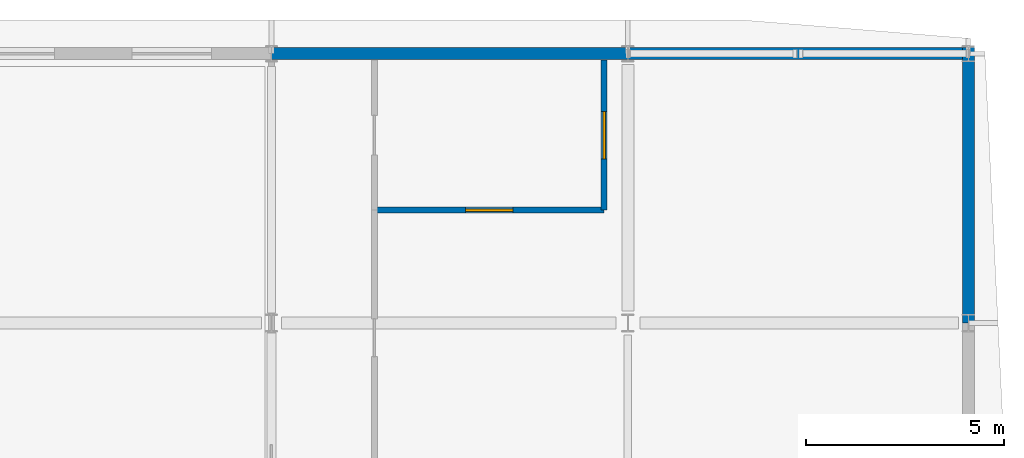
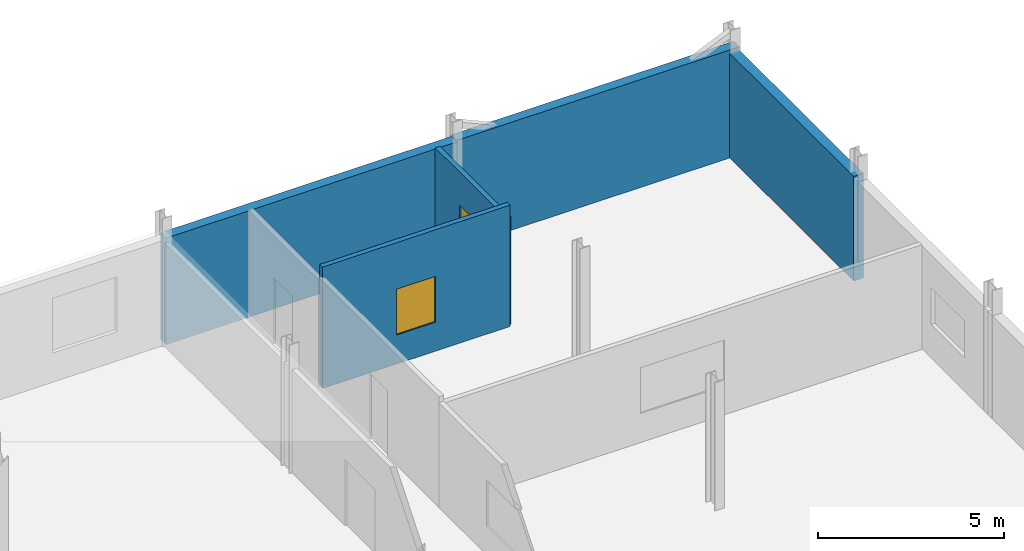
# One storey, part 123 of 138: 5 walls, 2 windows, 2 openings.
"""IFC4 building model written with IfcOpenShell, lengths in metres."""

import ifcopenshell
import ifcopenshell.guid

model = None  # the IFC model being written
_history = None  # IfcOwnerHistory: only IFC2X3 demands one
_inside = {}  # id of a spatial element -> (the spatial element, [elements in it])
_under = {}  # id of a project, library or spatial element -> (it, [spatial elements below it])
_declared = {}  # id of a project -> (the project, [libraries it declares])
_typed = {}  # id of a type object -> (the type object, [elements of that type])
_made_of = {}  # id of a material, layer set ... -> (it, [elements and type objects made of it])


def new_model(schema):
    """Start an empty IFC model of exactly this schema.

    Asked for "IFC4X3", IfcOpenShell would pick the latest addendum, in which some entities
    have other attributes; the version numbers below select the first issue.
    IFC2X3 requires an IfcOwnerHistory on every rooted entity: one is made here for all.
    """
    global model, _history
    if schema == "IFC4X3":
        model = ifcopenshell.file(schema_version=(4, 3, 0, 0))
    else:
        model = ifcopenshell.file(schema=schema)
    _inside.clear()
    _under.clear()
    _declared.clear()
    _typed.clear()
    _made_of.clear()
    _history = None
    if model.schema == "IFC2X3":
        org = make("IfcOrganization", Name="unknown")
        user = make(
            "IfcPersonAndOrganization",
            ThePerson=make("IfcPerson", FamilyName="unknown"),
            TheOrganization=org,
        )
        app = make(
            "IfcApplication",
            ApplicationDeveloper=org,
            Version="unknown",
            ApplicationFullName="unknown",
            ApplicationIdentifier="unknown",
        )
        _history = make(
            "IfcOwnerHistory",
            OwningUser=user,
            OwningApplication=app,
            ChangeAction="ADDED",
            CreationDate=0,
        )
    return model


def make(cls, **values):
    """One entity of the class cls with the attributes given. An attribute that is None is left unset."""
    return model.create_entity(
        cls, **{name: value for name, value in values.items() if value is not None}
    )


def rooted(cls, **values):
    """An entity with a GlobalId (a new one), such as an element, a storey or a relation."""
    return make(cls, GlobalId=ifcopenshell.guid.new(), OwnerHistory=_history, **values)


def si_unit(unit_type, name, prefix=None):
    """IfcSIUnit, for example si_unit("LENGTHUNIT", "METRE", prefix="MILLI")."""
    return make("IfcSIUnit", UnitType=unit_type, Prefix=prefix, Name=name)


def assignment(units):
    """IfcUnitAssignment: the units of a project."""
    return None if units is None else make("IfcUnitAssignment", Units=units)


def point(xyz):
    """IfcCartesianPoint."""
    return None if xyz is None else make("IfcCartesianPoint", Coordinates=xyz)


def direction(xyz):
    """IfcDirection."""
    return None if xyz is None else make("IfcDirection", DirectionRatios=xyz)


def frame(location, z_axis=None, x_axis=None):
    """IfcAxis2Placement3D, a coordinate frame: its origin and axes. An axis left out is left unset."""
    return make(
        "IfcAxis2Placement3D",
        Location=point(location),
        Axis=direction(z_axis),
        RefDirection=direction(x_axis),
    )


def frame_2d(location, x_axis=None):
    """IfcAxis2Placement2D, a coordinate frame in the plane: its origin and x axis."""
    return make(
        "IfcAxis2Placement2D", Location=point(location), RefDirection=direction(x_axis)
    )


def origin():
    """The frame at (0, 0, 0) with its axes left unset."""
    return frame((0.0, 0.0, 0.0))


def place(relative_to, where):
    """IfcLocalPlacement: puts the frame where relative to a parent placement (None: the world)."""
    return make(
        "IfcLocalPlacement", PlacementRelTo=relative_to, RelativePlacement=where
    )


def context(
    kind, dimensions, precision=None, world=None, true_north=None, identifier=None
):
    """IfcGeometricRepresentationContext, for example the 3D "Model" context."""
    return make(
        "IfcGeometricRepresentationContext",
        ContextIdentifier=identifier,
        ContextType=kind,
        CoordinateSpaceDimension=dimensions,
        Precision=precision,
        WorldCoordinateSystem=world,
        TrueNorth=true_north,
    )


def subcontext(parent, identifier, kind, view, scale=None):
    """IfcGeometricRepresentationSubContext, for example "Body" below "Model"."""
    return make(
        "IfcGeometricRepresentationSubContext",
        ContextIdentifier=identifier,
        ContextType=kind,
        ParentContext=parent,
        TargetScale=scale,
        TargetView=view,
    )


def project(units=None, contexts=None):
    """IfcProject with its units and contexts."""
    return rooted(
        "IfcProject",
        Name="project",
        RepresentationContexts=contexts,
        UnitsInContext=assignment(units),
    )


def spatial(cls, under=None, at=None, **own):
    """A site, building, storey or space (cls), placed at a placement, below another one or the project."""
    s = rooted(cls, ObjectPlacement=at, **own)
    if under is not None:
        _under.setdefault(under.id(), (under, []))[1].append(s)
    return s


def profile(cls, at=None, kind="AREA", **sizes):
    """A parametric profile (cls). Its sizes go by their IFC names, for example OverallWidth=200.0."""
    return make(cls, ProfileType=kind, Position=at, **sizes)


def rectangle(**sizes):
    """IfcRectangleProfileDef."""
    return profile("IfcRectangleProfileDef", **sizes)


def extrude(swept, where, along, depth):
    """IfcExtrudedAreaSolid: the profile swept, set in the frame where, extruded along a direction by depth."""
    return make(
        "IfcExtrudedAreaSolid",
        SweptArea=swept,
        Position=where,
        ExtrudedDirection=direction(along),
        Depth=depth,
    )


def shape(context_of_items, identifier, shape_type, items):
    """IfcShapeRepresentation: the items that make up one representation, for example the "Body"."""
    return make(
        "IfcShapeRepresentation",
        ContextOfItems=context_of_items,
        RepresentationIdentifier=identifier,
        RepresentationType=shape_type,
        Items=items,
    )


def material(Name=None, Category=None):
    """IfcMaterial."""
    return make("IfcMaterial", Name=Name, Category=Category)


def layer(
    of_material, thickness, ventilated=None, Name=None, Category=None, Priority=None
):
    """IfcMaterialLayer: one layer of a wall or slab, of a material (None: an air gap)."""
    return make(
        "IfcMaterialLayer",
        Material=of_material,
        LayerThickness=thickness,
        IsVentilated=ventilated,
        Name=Name,
        Category=Category,
        Priority=Priority,
    )


def layer_set(layers, Name=None):
    """IfcMaterialLayerSet."""
    return make("IfcMaterialLayerSet", MaterialLayers=layers, LayerSetName=Name)


def made_of(thing, what):
    """Note that an element or type object is made of a material, layer set ...; save() writes the relation."""
    if what is not None:
        _made_of.setdefault(what.id(), (what, []))[1].append(thing)
    return thing


def type_object(cls, material=None, **own):
    """A type object (cls), such as IfcWallType, which elements share."""
    return made_of(rooted(cls, **own), material)


def element(
    cls,
    number,
    at=None,
    inside=None,
    cuts=None,
    type_object=None,
    material=None,
    context=None,
    identifier="Body",
    shape_type=None,
    held_by="IfcProductDefinitionShape",
    body=None,
    shapes=None,
    **own,
):
    """One element of the class cls, such as IfcWall. Its Tag is "e" and its number.

    at: its placement. inside: the storey or other place that contains it. cuts: it is an
    opening in that element (IfcRelVoidsElement). A single representation is given by context,
    identifier, shape_type and body (its items); several are given by shapes. held_by: the class
    of the entity that holds the representations. save() writes the other relations.
    """
    e = rooted(cls, Tag="e%d" % number, ObjectPlacement=at, **own)
    if body is not None:
        shapes = [shape(context, identifier, shape_type, body)]
    if shapes is not None:
        e.Representation = make(held_by, Representations=shapes)
    if inside is not None:
        _inside.setdefault(inside.id(), (inside, []))[1].append(e)
    if cuts is not None:
        rooted(
            "IfcRelVoidsElement", RelatingBuildingElement=cuts, RelatedOpeningElement=e
        )
    if type_object is not None:
        _typed.setdefault(type_object.id(), (type_object, []))[1].append(e)
    return made_of(e, material)


def fill(opening, filler):
    """IfcRelFillsElement: the door or window that sits in an opening."""
    return rooted(
        "IfcRelFillsElement",
        RelatingOpeningElement=opening,
        RelatedBuildingElement=filler,
    )


def aggregate(whole, parts):
    """IfcRelAggregates: a whole, such as a stair, and the parts it consists of."""
    return rooted("IfcRelAggregates", RelatingObject=whole, RelatedObjects=parts)


def save(model, path):
    """Write the relations noted so far, then the file.

    IfcRelAggregates (storeys below a building ...), IfcRelContainedInSpatialStructure (elements
    in a storey), IfcRelDefinesByType, IfcRelAssociatesMaterial and IfcRelDeclares: one each for
    every whole, place, type object, material and project.
    """
    for whole, parts in _under.values():
        aggregate(whole, parts)
    for where, things in _inside.values():
        rooted(
            "IfcRelContainedInSpatialStructure",
            RelatedElements=things,
            RelatingStructure=where,
        )
    for kind, things in _typed.values():
        rooted("IfcRelDefinesByType", RelatedObjects=things, RelatingType=kind)
    for what, things in _made_of.values():
        rooted("IfcRelAssociatesMaterial", RelatedObjects=things, RelatingMaterial=what)
    for by, libraries in _declared.values():
        rooted("IfcRelDeclares", RelatingContext=by, RelatedDefinitions=libraries)
    model.write(path)


model = new_model("IFC4")

# Units and contexts
model_context = context("Model", 3, precision=1e-05, world=origin(), true_north=direction((0.0, 1.0)))
body_context = subcontext(model_context, "Body", "Model", "MODEL_VIEW")
ifc_project = project(units=[si_unit("LENGTHUNIT", "METRE"), si_unit("AREAUNIT", "SQUARE_METRE"), si_unit("VOLUMEUNIT", "CUBIC_METRE"), si_unit("PLANEANGLEUNIT", "RADIAN"), si_unit("MASSUNIT", "GRAM", prefix="KILO")], contexts=[model_context])

# Site, building, storey
site_placement = place(None, origin())
site = spatial("IfcSite", under=ifc_project, at=site_placement, CompositionType="ELEMENT")
building_placement = place(site_placement, origin())
building = spatial("IfcBuilding", under=site, at=building_placement, Name="Vinh Khe Railworks Police Headquarters", CompositionType="ELEMENT")
storey_placement = place(building_placement, frame((0.0, 0.0, 9.0)))
storey = spatial("IfcBuildingStorey", under=building, at=storey_placement, Name="L02", CompositionType="ELEMENT", Elevation=9.0)

# Walls
ifc_material_1 = material(Name="Clay brickwork", Category="masonry")
ifc_layer_1 = layer(ifc_material_1, 0.300048828125)
ifc_layer_set_1 = layer_set([ifc_layer_1], Name="Clay brickwork")
wall_type_1 = type_object("IfcWallType", Name="EW-BRK-300", PredefinedType="SOLIDWALL", material=ifc_layer_set_1)
wall_1_placement = place(storey_placement, frame((113.60009765625, 159.60009765625, 0.0), z_axis=(0.0, 0.0, 1.0), x_axis=(0.0, 1.0, 0.0)))
element("IfcWall", 1, at=wall_1_placement, inside=storey, type_object=wall_type_1, Name="Exterior Brick Wall EW-L02-V6E-09", PredefinedType="SOLIDWALL", context=body_context, shape_type="SweptSolid", body=[
    extrude(rectangle(XDim=6.949951171875, YDim=0.300048828125, at=frame_2d((3.47509765625, 0.0))), origin(), (0.0, 0.0, 1.0), 3.425048828125),
])
wall_2_placement = place(storey_placement, frame((96.0, 166.39990234375, 0.0), z_axis=(0.0, 0.0, 1.0), x_axis=(1.0, 0.0, 0.0)))
element("IfcWall", 2, at=wall_2_placement, inside=storey, type_object=wall_type_1, Name="Exterior Brick Wall EW-L02-V6N-03", PredefinedType="SOLIDWALL", context=body_context, shape_type="SweptSolid", body=[
    extrude(rectangle(XDim=9.0, YDim=0.300048828125, at=frame_2d((4.5, 0.0))), origin(), (0.0, 0.0, 1.0), 3.485107421875),
])
wall_3_placement = place(storey_placement, frame((105.0, 166.39990234375, 0.0), z_axis=(0.0, 0.0, 1.0), x_axis=(1.0, 0.0, 0.0)))
element("IfcWall", 3, at=wall_3_placement, inside=storey, type_object=wall_type_1, Name="Exterior Brick Wall EW-L02-V6N-04", PredefinedType="SOLIDWALL", context=body_context, shape_type="SweptSolid", body=[
    extrude(rectangle(XDim=8.75, YDim=0.300048828125, at=frame_2d((4.375, 0.0))), origin(), (0.0, 0.0, 1.0), 3.534912109375),
])

# Wall, opening, window
ifc_material_2 = material(Name="Gypsum plasterboard on steel stud", Category="steel")
ifc_layer_2 = layer(ifc_material_2, 0.1201171875)
ifc_layer_set_2 = layer_set([ifc_layer_2], Name="Gypsum plasterboard on steel stud")
wall_type_2 = type_object("IfcWallType", Name="IW-PART-120", PredefinedType="PARTITIONING", material=ifc_layer_set_2)
wall_4_placement = place(storey_placement, frame((98.60009765625, 162.447021484375, 0.0), z_axis=(0.0, 0.0, 1.0), x_axis=(1.0, 0.0, 0.0)))
wall_4 = element("IfcWall", 4, at=wall_4_placement, inside=storey, type_object=wall_type_2, Name="Interior Partition W-L02-V6-V6WC2S-DIV", PredefinedType="PARTITIONING", context=body_context, shape_type="SweptSolid", body=[
    extrude(rectangle(XDim=5.7998046875, YDim=0.14990234375, at=frame_2d((2.89990234375, 0.0))), origin(), (0.0, 0.0, 1.0), 3.97509765625),
])
opening_1_placement = place(wall_4_placement, frame((2.300048828125, 0.0, 0.949951171875)))
opening_1 = element("IfcOpeningElement", 5, at=opening_1_placement, cuts=wall_4, Name="Opening WN-10", PredefinedType="OPENING", context=body_context, shape_type="SweptSolid", body=[
    extrude(rectangle(XDim=1.199951171875, YDim=1.5, at=frame_2d((0.60009765625, 0.75))), frame((0.0, 0.08984375, 0.0), z_axis=(0.0, -1.0, 0.0), x_axis=(1.0, 0.0, 0.0)), (0.0, 0.0, 1.0), 0.1796875),
])
ifc_material_3 = material(Name="Double-glazed solar-control glass in dark steel frame", Category="steel")
window_type = type_object("IfcWindowType", Name="WIN-WN-10", PartitioningType="SINGLE_PANEL", PredefinedType="WINDOW", material=ifc_material_3)
window_1_placement = place(opening_1_placement, origin())
window_1 = element("IfcWindow", 6, at=window_1_placement, inside=storey, type_object=window_type, Name="Interior Acoustic Vision Window WN-10", OverallHeight=1.5, OverallWidth=1.199951171875, PartitioningType="SINGLE_PANEL", PredefinedType="WINDOW", context=body_context, shape_type="SweptSolid", body=[
    extrude(rectangle(XDim=1.199951171875, YDim=1.5, at=frame_2d((0.60009765625, 0.75))), frame((0.0, 0.030029296875, 0.0), z_axis=(0.0, -1.0, 0.0), x_axis=(1.0, 0.0, 0.0)), (0.0, 0.0, 1.0), 0.06005859375),
])
fill(opening_1, window_1)

wall_5_placement = place(storey_placement, frame((104.39990234375, 162.447021484375, 0.0), z_axis=(0.0, 0.0, 1.0), x_axis=(0.0, 1.0, 0.0)))
wall_5 = element("IfcWall", 7, at=wall_5_placement, inside=storey, type_object=wall_type_2, Name="Interior Partition W-L02-V6-V6WC2-REAR", PredefinedType="PARTITIONING", context=body_context, shape_type="SweptSolid", body=[
    extrude(rectangle(XDim=3.79296875, YDim=0.14990234375, at=frame_2d((1.896484375, 0.0))), origin(), (0.0, 0.0, 1.0), 3.534912109375),
])
opening_2_placement = place(wall_5_placement, frame((1.29638671875, 0.0, 0.949951171875)))
opening_2 = element("IfcOpeningElement", 8, at=opening_2_placement, cuts=wall_5, Name="Opening WN-10", PredefinedType="OPENING", context=body_context, shape_type="SweptSolid", body=[
    extrude(rectangle(XDim=1.199951171875, YDim=1.5, at=frame_2d((0.60009765625, 0.75))), frame((0.0, 0.08984375, 0.0), z_axis=(0.0, -1.0, 0.0), x_axis=(1.0, 0.0, 0.0)), (0.0, 0.0, 1.0), 0.1796875),
])
window_2_placement = place(opening_2_placement, origin())
window_2 = element("IfcWindow", 9, at=window_2_placement, inside=storey, type_object=window_type, Name="Interior Acoustic Vision Window WN-10", OverallHeight=1.5, OverallWidth=1.199951171875, PartitioningType="SINGLE_PANEL", PredefinedType="WINDOW", context=body_context, shape_type="SweptSolid", body=[
    extrude(rectangle(XDim=1.199951171875, YDim=1.5, at=frame_2d((0.60009765625, 0.75))), frame((0.0, 0.030029296875, 0.0), z_axis=(0.0, -1.0, 0.0), x_axis=(1.0, 0.0, 0.0)), (0.0, 0.0, 1.0), 0.06005859375),
])
fill(opening_2, window_2)

save(model, "model.ifc")
